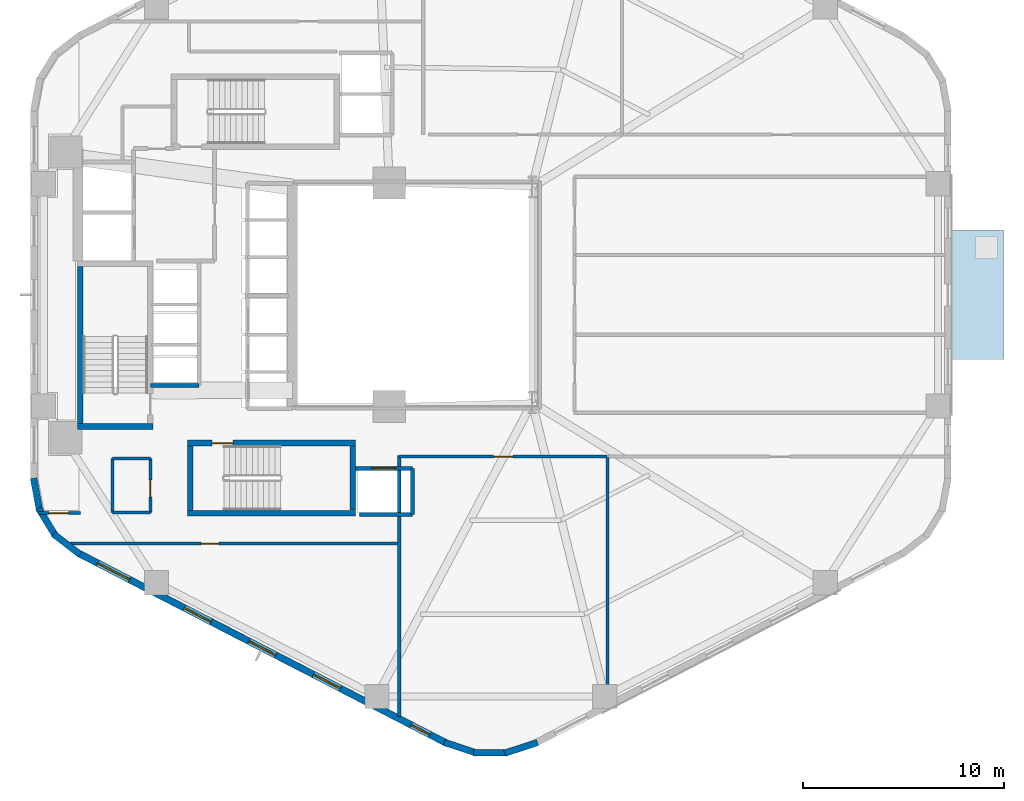
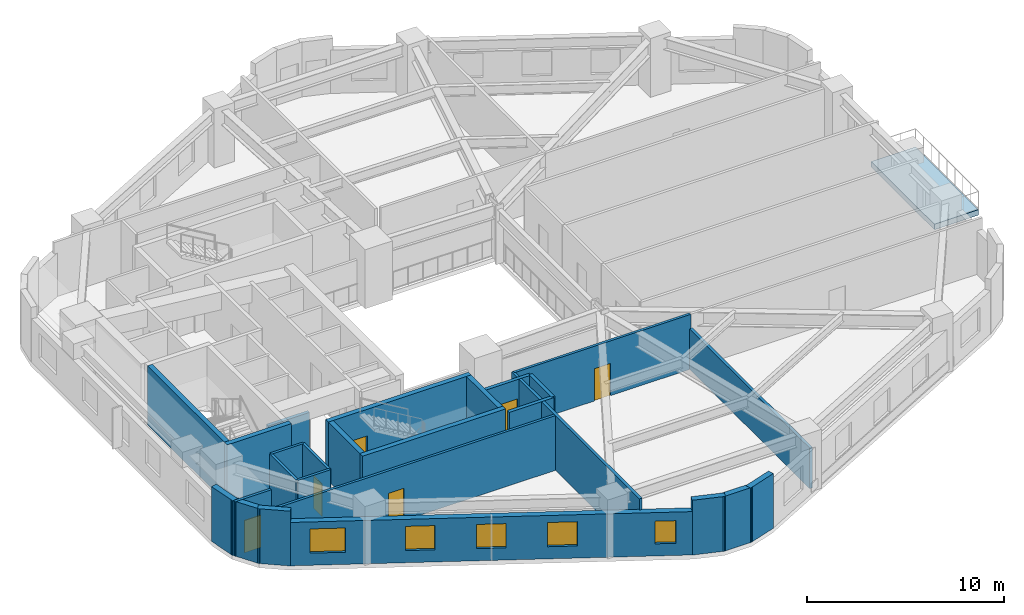
# One storey, part 2 of 7: 26 walls, 6 doors, 5 windows, 1 slab, 11 openings.
"""IFC4 building model written with IfcOpenShell, lengths in metres."""

from ifc_helpers import new_model, si_unit, direction, frame, frame_2d, origin, place, context, subcontext, project, spatial, polyline, rectangle, outline, extrude, material, layer, layer_set, type_object, element, fill, save


model = new_model("IFC4")

# Units and contexts
model_context = context("Model", 3, precision=1e-05, world=origin(), true_north=direction((0.0, 1.0)))
body_context = subcontext(model_context, "Body", "Model", "MODEL_VIEW")
ifc_project = project(units=[si_unit("LENGTHUNIT", "METRE"), si_unit("AREAUNIT", "SQUARE_METRE"), si_unit("VOLUMEUNIT", "CUBIC_METRE"), si_unit("PLANEANGLEUNIT", "RADIAN"), si_unit("MASSUNIT", "GRAM", prefix="KILO"), si_unit("THERMODYNAMICTEMPERATUREUNIT", "KELVIN"), si_unit("POWERUNIT", "WATT")], contexts=[model_context])

# Site, building, storey
site_placement = place(None, origin())
site = spatial("IfcSite", under=ifc_project, at=site_placement, CompositionType="ELEMENT")
building_placement = place(site_placement, origin())
building = spatial("IfcBuilding", under=site, at=building_placement, Name="Skarre Station Tower", CompositionType="ELEMENT")
storey_placement = place(building_placement, frame((0.0, 0.0, 70.800048828125)))
storey = spatial("IfcBuildingStorey", under=building, at=storey_placement, Name="L18", CompositionType="ELEMENT", Elevation=70.800048828125)

# Slab
ifc_material_1 = material(Name="Precast concrete C50/60", Category="concrete")
ifc_layer_1 = layer(ifc_material_1, 0.340087890625, Name="Precast concrete C50/60")
ifc_layer_set_1 = layer_set([ifc_layer_1], Name="Precast concrete C50/60")
slab_type = type_object("IfcSlabType", Name="Planted Tree-Balcony Cantilever Slab 340", PredefinedType="FLOOR", material=ifc_layer_set_1)
slab_placement = place(storey_placement, frame((0.0, 0.0, -0.340087890625)))
element("IfcSlab", 1, at=slab_placement, inside=storey, type_object=slab_type, Name="L18 Planted Tree-Balcony Deck TB-L18-F5", PredefinedType="FLOOR", context=body_context, shape_type="SweptSolid", body=[
    extrude(outline(polyline([(60.27294921875, 20.800048828125), (60.27294921875, 27.199951171875), (62.863037109375, 27.199951171875), (62.863037109375, 20.800048828125), (60.27294921875, 20.800048828125)])), origin(), (0.0, 0.0, 1.0), 0.340087890625),
])

# Walls
ifc_material_2 = material(Name="Acoustic Steel-Stud Gypsum Partition", Category="steel")
ifc_layer_2 = layer(ifc_material_2, 0.14990234375, Name="Acoustic Steel-Stud Gypsum Partition")
ifc_layer_set_2 = layer_set([ifc_layer_2], Name="Acoustic Steel-Stud Gypsum Partition")
wall_type_1 = type_object("IfcWallType", Name="Fire-Rated Corridor Acoustic Partition 150", PredefinedType="PARTITIONING", material=ifc_layer_set_2)
wall_1_placement = place(storey_placement, frame((18.60009765625, 15.8798828125, 0.0), z_axis=(0.0, 0.0, 1.0), x_axis=(0.0, -1.0, 0.0)))
element("IfcWall", 2, at=wall_1_placement, inside=storey, type_object=wall_type_1, Name="L18 Interior Partition WL-PT-L18-CSVC-W", PredefinedType="PARTITIONING", context=body_context, shape_type="SweptSolid", body=[
    extrude(rectangle(XDim=2.679931640625, YDim=0.14990234375, at=frame_2d((1.33984375, 0.0))), origin(), (0.0, 0.0, 1.0), 3.389892578125),
])
for number, where, z_axis, x_axis, name in (
    (3, (18.60009765625, 13.199951171875, 0.0), (0.0, 0.0, 1.0), (1.0, 0.0, 0.0), "L18 Interior Partition WL-PT-L18-CSVC-S"),
    (4, (18.60009765625, 15.8798828125, 0.0), (0.0, 0.0, 1.0), (1.0, 0.0, 0.0), "L18 Interior Partition WL-PT-L18-CSVC-N"),
):
    element("IfcWall", number, at=place(storey_placement, frame(where, z_axis=z_axis, x_axis=x_axis)), inside=storey, type_object=wall_type_1, Name=name, PredefinedType="PARTITIONING", context=body_context, shape_type="SweptSolid", body=[
        extrude(rectangle(XDim=1.889892578125, YDim=0.14990234375, at=frame_2d((0.94482421875, 0.0))), origin(), (0.0, 0.0, 1.0), 3.389892578125),
    ])

# Wall, opening, door
wall_2_placement = place(storey_placement, frame((20.489990234375, 13.199951171875, 0.0), z_axis=(0.0, 0.0, 1.0), x_axis=(0.0, 1.0, 0.0)))
wall_2 = element("IfcWall", 5, at=wall_2_placement, inside=storey, type_object=wall_type_1, Name="L18 Interior Partition WL-PT-L18-CSVC-E", PredefinedType="PARTITIONING", context=body_context, shape_type="SweptSolid", body=[
    extrude(rectangle(XDim=2.679931640625, YDim=0.14990234375, at=frame_2d((1.33984375, 0.0))), origin(), (0.0, 0.0, 1.0), 3.389892578125),
])
opening_1_placement = place(wall_2_placement, frame((0.75, 0.0, 0.0)))
opening_1 = element("IfcOpeningElement", 6, at=opening_1_placement, cuts=wall_2, Name="Opening DR-SVC86", PredefinedType="OPENING", context=body_context, shape_type="SweptSolid", body=[
    extrude(rectangle(XDim=0.860107421875, YDim=2.0, at=frame_2d((0.43017578125, 1.0))), frame((0.0, 0.0849609375, 0.0), z_axis=(0.0, -1.0, 0.0), x_axis=(1.0, 0.0, 0.0)), (0.0, 0.0, 1.0), 0.169921875),
])
ifc_material_3 = material(Name="Powder-Coated Hollow-Metal Acoustic Fire Leaf", Category="steel")
door_type_1 = type_object("IfcDoorType", Name="Compact Riser Fire Door FD60 860x2100", OperationType="SINGLE_SWING_LEFT", PredefinedType="DOOR", material=ifc_material_3)
door_1_placement = place(opening_1_placement, origin())
door_1 = element("IfcDoor", 7, at=door_1_placement, inside=storey, type_object=door_type_1, Name="L18 Supply Room Door", OperationType="SINGLE_SWING_LEFT", OverallHeight=2.0, OverallWidth=0.860107421875, PredefinedType="DOOR", context=body_context, shape_type="SweptSolid", body=[
    extrude(rectangle(XDim=0.860107421875, YDim=2.0, at=frame_2d((0.43017578125, 1.0))), frame((0.0, 0.02490234375, 0.0), z_axis=(0.0, -1.0, 0.0), x_axis=(1.0, 0.0, 0.0)), (0.0, 0.0, 1.0), 0.050048828125),
])
fill(opening_1, door_1)

wall_3_placement = place(storey_placement, frame((16.487060546875, 11.639892578125, 0.0), z_axis=(0.0, 0.0, 1.0), x_axis=(1.0, 0.0, 0.0)))
wall_3 = element("IfcWall", 8, at=wall_3_placement, inside=storey, type_object=wall_type_1, Name="L18 Interior Partition WL-PT-L18-SWP-N", PredefinedType="PARTITIONING", context=body_context, shape_type="SweptSolid", body=[
    extrude(rectangle(XDim=16.363037109375, YDim=0.14990234375, at=frame_2d((8.181640625, 0.0))), origin(), (0.0, 0.0, 1.0), 3.389892578125),
])
opening_2_placement = place(wall_3_placement, frame((6.512939453125, 0.0, 0.0)))
opening_2 = element("IfcOpeningElement", 9, at=opening_2_placement, cuts=wall_3, Name="Opening DR-SVC90", PredefinedType="OPENING", context=body_context, shape_type="SweptSolid", body=[
    extrude(rectangle(XDim=0.89990234375, YDim=2.0, at=frame_2d((0.449951171875, 1.0))), frame((0.0, 0.0849609375, 0.0), z_axis=(0.0, -1.0, 0.0), x_axis=(1.0, 0.0, 0.0)), (0.0, 0.0, 1.0), 0.169921875),
])
door_type_2 = type_object("IfcDoorType", Name="Service & Riser Fire Door FD60 900x2100", OperationType="SINGLE_SWING_LEFT", PredefinedType="DOOR", material=ifc_material_3)
door_2_placement = place(opening_2_placement, origin())
door_2 = element("IfcDoor", 10, at=door_2_placement, inside=storey, type_object=door_type_2, Name="L18 Floor Public Toilets Door", OperationType="SINGLE_SWING_LEFT", OverallHeight=2.0, OverallWidth=0.89990234375, PredefinedType="DOOR", context=body_context, shape_type="SweptSolid", body=[
    extrude(rectangle(XDim=0.89990234375, YDim=2.0, at=frame_2d((0.449951171875, 1.0))), frame((0.0, 0.02490234375, 0.0), z_axis=(0.0, -1.0, 0.0), x_axis=(1.0, 0.0, 0.0)), (0.0, 0.0, 1.0), 0.050048828125),
])
fill(opening_2, door_2)

wall_4_placement = place(storey_placement, frame((17.02001953125, 13.159912109375, 0.0), z_axis=(0.0, 0.0, 1.0), x_axis=(-1.0, 0.0, 0.0)))
wall_4 = element("IfcWall", 11, at=wall_4_placement, inside=storey, type_object=wall_type_1, Name="L18 Interior Partition WL-PT-L18-WW1-CW", PredefinedType="PARTITIONING", context=body_context, shape_type="SweptSolid", body=[
    extrude(rectangle(XDim=2.1201171875, YDim=0.14990234375, at=frame_2d((1.06005859375, 0.0))), origin(), (0.0, 0.0, 1.0), 3.389892578125),
])
opening_3_placement = place(wall_4_placement, frame((0.596923828125, 0.0, 0.0)))
opening_3 = element("IfcOpeningElement", 12, at=opening_3_placement, cuts=wall_4, Name="Opening DR-FD60", PredefinedType="OPENING", context=body_context, shape_type="SweptSolid", body=[
    extrude(rectangle(XDim=0.9599609375, YDim=2.0, at=frame_2d((0.47998046875, 1.0))), frame((0.0, 0.0849609375, 0.0), z_axis=(0.0, -1.0, 0.0), x_axis=(1.0, 0.0, 0.0)), (0.0, 0.0, 1.0), 0.169921875),
])
ifc_material_4 = material(Name="Nordic White-Oak Veneer Solid-Core Fire Leaf", Category="wood")
door_type_3 = type_object("IfcDoorType", Name="Corridor Suite Entry Fire Door FD60 960x2150", OperationType="SINGLE_SWING_LEFT", PredefinedType="DOOR", material=ifc_material_4)
door_3_placement = place(opening_3_placement, origin())
door_3 = element("IfcDoor", 13, at=door_3_placement, inside=storey, type_object=door_type_3, Name="L18 WW1 Entry Door", OperationType="SINGLE_SWING_LEFT", OverallHeight=2.0, OverallWidth=0.9599609375, PredefinedType="DOOR", context=body_context, shape_type="SweptSolid", body=[
    extrude(rectangle(XDim=0.9599609375, YDim=2.0, at=frame_2d((0.47998046875, 1.0))), frame((0.0, 0.02490234375, 0.0), z_axis=(0.0, -1.0, 0.0), x_axis=(1.0, 0.0, 0.0)), (0.0, 0.0, 1.0), 0.050048828125),
])
fill(opening_3, door_3)

wall_5_placement = place(storey_placement, frame((32.85009765625, 15.9599609375, 0.0), z_axis=(0.0, 0.0, 1.0), x_axis=(1.0, 0.0, 0.0)))
wall_5 = element("IfcWall", 14, at=wall_5_placement, inside=storey, type_object=wall_type_1, Name="L18 Interior Partition WL-PT-L18-SW1-CW", PredefinedType="PARTITIONING", context=body_context, shape_type="SweptSolid", body=[
    extrude(rectangle(XDim=10.327880859375, YDim=0.14990234375, at=frame_2d((5.1640625, 0.0))), origin(), (0.0, 0.0, 1.0), 3.389892578125),
])
opening_4_placement = place(wall_5_placement, frame((4.68408203125, 0.0, 0.0)))
opening_4 = element("IfcOpeningElement", 15, at=opening_4_placement, cuts=wall_5, Name="Opening DR-FD60", PredefinedType="OPENING", context=body_context, shape_type="SweptSolid", body=[
    extrude(rectangle(XDim=0.9599609375, YDim=2.0, at=frame_2d((0.47998046875, 1.0))), frame((0.0, 0.0849609375, 0.0), z_axis=(0.0, -1.0, 0.0), x_axis=(1.0, 0.0, 0.0)), (0.0, 0.0, 1.0), 0.169921875),
])
door_4_placement = place(opening_4_placement, origin())
door_4 = element("IfcDoor", 16, at=door_4_placement, inside=storey, type_object=door_type_3, Name="L18 SW1 Entry Door", OperationType="SINGLE_SWING_LEFT", OverallHeight=2.0, OverallWidth=0.9599609375, PredefinedType="DOOR", context=body_context, shape_type="SweptSolid", body=[
    extrude(rectangle(XDim=0.9599609375, YDim=2.0, at=frame_2d((0.47998046875, 1.0))), frame((0.0, 0.02490234375, 0.0), z_axis=(0.0, -1.0, 0.0), x_axis=(1.0, 0.0, 0.0)), (0.0, 0.0, 1.0), 0.050048828125),
])
fill(opening_4, door_4)

# Wall, openings, windows
ifc_material_5 = material(Name="Precast concrete C45/55", Category="concrete")
ifc_layer_3 = layer(ifc_material_5, 0.340087890625, Name="Precast concrete C45/55")
ifc_layer_set_3 = layer_set([ifc_layer_3], Name="Precast concrete C45/55")
wall_type_2 = type_object("IfcWallType", Name="Nordic Honed Precast Facet Wall 340", PredefinedType="STANDARD", material=ifc_layer_set_3)
wall_6_placement = place(storey_placement, frame((35.1689453125, 1.742919921875, 0.0), z_axis=(0.0, 0.0, 1.0), x_axis=(-0.888634413993, 0.458616264721, 0.0)))
wall_6 = element("IfcWall", 17, at=wall_6_placement, inside=storey, type_object=wall_type_2, Name="L18 Facet 3 Nordic Precast Masonry Wall", PredefinedType="STANDARD", context=body_context, shape_type="SweptSolid", body=[
    extrude(rectangle(XDim=20.53125, YDim=0.340087890625, at=frame_2d((10.265625, 0.0))), origin(), (0.0, 0.0, 1.0), 2.683837890625),
])
opening_5_placement = place(wall_6_placement, frame((0.902099609375, 0.0, 0.75)))
opening_5 = element("IfcOpeningElement", 18, at=opening_5_placement, cuts=wall_6, Name="Opening WN-SLT", PredefinedType="OPENING", context=body_context, shape_type="SweptSolid", body=[
    extrude(rectangle(XDim=1.050048828125, YDim=1.39990234375, at=frame_2d((0.52490234375, 0.699951171875))), frame((0.0, 0.179931640625, 0.0), z_axis=(0.0, -1.0, 0.0), x_axis=(1.0, 0.0, 0.0)), (0.0, 0.0, 1.0), 0.360107421875),
])
opening_6_placement = place(wall_6_placement, frame((5.903076171875, 0.0, 0.75)))
opening_6 = element("IfcOpeningElement", 19, at=opening_6_placement, cuts=wall_6, Name="Opening WN-Z1B", PredefinedType="OPENING", context=body_context, shape_type="SweptSolid", body=[
    extrude(rectangle(XDim=1.5, YDim=1.5, at=frame_2d((0.75, 0.75))), frame((0.0, 0.179931640625, 0.0), z_axis=(0.0, -1.0, 0.0), x_axis=(1.0, 0.0, 0.0)), (0.0, 0.0, 1.0), 0.360107421875),
])
opening_7_placement = place(wall_6_placement, frame((9.51611328125, 0.0, 0.75)))
opening_7 = element("IfcOpeningElement", 20, at=opening_7_placement, cuts=wall_6, Name="Opening WN-Z1B", PredefinedType="OPENING", context=body_context, shape_type="SweptSolid", body=[
    extrude(rectangle(XDim=1.5, YDim=1.5, at=frame_2d((0.75, 0.75))), frame((0.0, 0.179931640625, 0.0), z_axis=(0.0, -1.0, 0.0), x_axis=(1.0, 0.0, 0.0)), (0.0, 0.0, 1.0), 0.360107421875),
])
opening_8_placement = place(wall_6_placement, frame((13.12890625, 0.0, 0.75)))
opening_8 = element("IfcOpeningElement", 21, at=opening_8_placement, cuts=wall_6, Name="Opening WN-Z1B", PredefinedType="OPENING", context=body_context, shape_type="SweptSolid", body=[
    extrude(rectangle(XDim=1.5, YDim=1.5, at=frame_2d((0.75, 0.75))), frame((0.0, 0.179931640625, 0.0), z_axis=(0.0, -1.0, 0.0), x_axis=(1.0, 0.0, 0.0)), (0.0, 0.0, 1.0), 0.360107421875),
])
opening_9_placement = place(wall_6_placement, frame((17.673095703125, 0.0, 0.75)))
opening_9 = element("IfcOpeningElement", 22, at=opening_9_placement, cuts=wall_6, Name="Opening WN-Z1A", PredefinedType="OPENING", context=body_context, shape_type="SweptSolid", body=[
    extrude(rectangle(XDim=1.800048828125, YDim=1.5, at=frame_2d((0.89990234375, 0.75))), frame((0.0, 0.179931640625, 0.0), z_axis=(0.0, -1.0, 0.0), x_axis=(1.0, 0.0, 0.0)), (0.0, 0.0, 1.0), 0.360107421875),
])
ifc_material_6 = material(Name="Low-Iron Triple Glazing with Bronze Anodized Frame", Category="glass")
window_type_1 = type_object("IfcWindowType", Name="Nordic Corner Slot Window 1050x1400", PartitioningType="SINGLE_PANEL", PredefinedType="WINDOW", material=ifc_material_6)
window_1_placement = place(opening_5_placement, origin())
window_1 = element("IfcWindow", 23, at=window_1_placement, inside=storey, type_object=window_type_1, Name="L18 Facade Window WL-FAC-L18-F3-1", OverallHeight=1.39990234375, OverallWidth=1.050048828125, PartitioningType="SINGLE_PANEL", PredefinedType="WINDOW", context=body_context, shape_type="SweptSolid", body=[
    extrude(rectangle(XDim=1.050048828125, YDim=1.39990234375, at=frame_2d((0.52490234375, 0.699951171875))), frame((0.0, 0.030029296875, 0.0), z_axis=(0.0, -1.0, 0.0), x_axis=(1.0, 0.0, 0.0)), (0.0, 0.0, 1.0), 0.06005859375),
])
fill(opening_5, window_1)
window_type_2 = type_object("IfcWindowType", Name="Nordic Punched Triple-Glazed Window 1500x1500", PartitioningType="SINGLE_PANEL", PredefinedType="WINDOW", material=ifc_material_6)
window_2_placement = place(opening_6_placement, origin())
window_2 = element("IfcWindow", 24, at=window_2_placement, inside=storey, type_object=window_type_2, Name="L18 Facade Window WL-FAC-L18-F3-2", OverallHeight=1.5, OverallWidth=1.5, PartitioningType="SINGLE_PANEL", PredefinedType="WINDOW", context=body_context, shape_type="SweptSolid", body=[
    extrude(rectangle(XDim=1.5, YDim=1.5, at=frame_2d((0.75, 0.75))), frame((0.0, 0.030029296875, 0.0), z_axis=(0.0, -1.0, 0.0), x_axis=(1.0, 0.0, 0.0)), (0.0, 0.0, 1.0), 0.06005859375),
])
fill(opening_6, window_2)
window_3_placement = place(opening_7_placement, origin())
window_3 = element("IfcWindow", 25, at=window_3_placement, inside=storey, type_object=window_type_2, Name="L18 Facade Window WL-FAC-L18-F3-3", OverallHeight=1.5, OverallWidth=1.5, PartitioningType="SINGLE_PANEL", PredefinedType="WINDOW", context=body_context, shape_type="SweptSolid", body=[
    extrude(rectangle(XDim=1.5, YDim=1.5, at=frame_2d((0.75, 0.75))), frame((0.0, 0.030029296875, 0.0), z_axis=(0.0, -1.0, 0.0), x_axis=(1.0, 0.0, 0.0)), (0.0, 0.0, 1.0), 0.06005859375),
])
fill(opening_7, window_3)
window_4_placement = place(opening_8_placement, origin())
window_4 = element("IfcWindow", 26, at=window_4_placement, inside=storey, type_object=window_type_2, Name="L18 Facade Window WL-FAC-L18-F3-4", OverallHeight=1.5, OverallWidth=1.5, PartitioningType="SINGLE_PANEL", PredefinedType="WINDOW", context=body_context, shape_type="SweptSolid", body=[
    extrude(rectangle(XDim=1.5, YDim=1.5, at=frame_2d((0.75, 0.75))), frame((0.0, 0.030029296875, 0.0), z_axis=(0.0, -1.0, 0.0), x_axis=(1.0, 0.0, 0.0)), (0.0, 0.0, 1.0), 0.06005859375),
])
fill(opening_8, window_4)
window_type_3 = type_object("IfcWindowType", Name="Nordic Punched Triple-Glazed Window 1800x1500", PartitioningType="SINGLE_PANEL", PredefinedType="WINDOW", material=ifc_material_6)
window_5_placement = place(opening_9_placement, origin())
window_5 = element("IfcWindow", 27, at=window_5_placement, inside=storey, type_object=window_type_3, Name="L18 Facade Window WL-FAC-L18-F3-5", OverallHeight=1.5, OverallWidth=1.800048828125, PartitioningType="SINGLE_PANEL", PredefinedType="WINDOW", context=body_context, shape_type="SweptSolid", body=[
    extrude(rectangle(XDim=1.800048828125, YDim=1.5, at=frame_2d((0.89990234375, 0.75))), frame((0.0, 0.030029296875, 0.0), z_axis=(0.0, -1.0, 0.0), x_axis=(1.0, 0.0, 0.0)), (0.0, 0.0, 1.0), 0.06005859375),
])
fill(opening_9, window_5)

# Walls
ifc_layer_4 = layer(ifc_material_5, 0.330078125, Name="Precast concrete C45/55")
ifc_layer_set_4 = layer_set([ifc_layer_4], Name="Precast concrete C45/55")
wall_type_3 = type_object("IfcWallType", Name="Nordic Rounded Corner Precast Wall 330", PredefinedType="STANDARD", material=ifc_layer_set_4)
wall_7_placement = place(storey_placement, frame((16.998046875, 11.09912109375, 0.0), z_axis=(0.0, 0.0, 1.0), x_axis=(-0.790691856293, 0.61221433207, 0.0)))
element("IfcWall", 28, at=wall_7_placement, inside=storey, type_object=wall_type_3, Name="L18 Rounded Corner Precast Wall F3-1", PredefinedType="STANDARD", context=body_context, shape_type="SweptSolid", body=[
    extrude(rectangle(XDim=1.67578125, YDim=0.330078125, at=frame_2d((0.837890625, 0.0))), origin(), (0.0, 0.0, 1.0), 3.389892578125),
])
wall_8_placement = place(storey_placement, frame((15.798095703125, 11.985107421875, 0.0), z_axis=(0.0, 0.0, 1.0), x_axis=(-0.520584129191, 0.853810379671, 0.0)))
element("IfcWall", 29, at=wall_8_placement, inside=storey, type_object=wall_type_3, Name="L18 Rounded Corner Precast Wall F3-2", PredefinedType="STANDARD", context=body_context, shape_type="SweptSolid", body=[
    extrude(rectangle(XDim=1.677001953125, YDim=0.330078125, at=frame_2d((0.83837890625, 0.0))), origin(), (0.0, 0.0, 1.0), 3.389892578125),
])
wall_9_placement = place(storey_placement, frame((14.991943359375, 13.241943359375, 0.0), z_axis=(0.0, 0.0, 1.0), x_axis=(-0.181714143354, 0.983351397063, 0.0)))
element("IfcWall", 30, at=wall_9_placement, inside=storey, type_object=wall_type_3, Name="L18 Rounded Corner Precast Wall F3-3", PredefinedType="STANDARD", context=body_context, shape_type="SweptSolid", body=[
    extrude(rectangle(XDim=1.677978515625, YDim=0.330078125, at=frame_2d((0.8388671875, 0.0))), origin(), (0.0, 0.0, 1.0), 3.389892578125),
])
wall_10_placement = place(storey_placement, frame((39.718994140625, 1.76904296875, 0.0), z_axis=(0.0, 0.0, 1.0), x_axis=(-0.94976901097, -0.312951794691, 0.0)))
element("IfcWall", 31, at=wall_10_placement, inside=storey, type_object=wall_type_3, Name="L18 Rounded Corner Precast Wall F4-1", PredefinedType="STANDARD", context=body_context, shape_type="SweptSolid", body=[
    extrude(rectangle(XDim=1.722412109375, YDim=0.330078125, at=frame_2d((0.861328125, 0.0))), origin(), (0.0, 0.0, 1.0), 3.389892578125),
])
wall_11_placement = place(storey_placement, frame((38.260986328125, 1.259033203125, 0.0), z_axis=(0.0, 0.0, 1.0), x_axis=(-1.0, 0.0, 0.0)))
element("IfcWall", 32, at=wall_11_placement, inside=storey, type_object=wall_type_3, Name="L18 Rounded Corner Precast Wall F4-2", PredefinedType="STANDARD", context=body_context, shape_type="SweptSolid", body=[
    extrude(rectangle(XDim=1.721923828125, YDim=0.330078125, at=frame_2d((0.86083984375, 0.0))), origin(), (0.0, 0.0, 1.0), 3.389892578125),
])
wall_12_placement = place(storey_placement, frame((36.717041015625, 1.22998046875, 0.0), z_axis=(0.0, 0.0, 1.0), x_axis=(-0.94976901097, 0.312951794691, 0.0)))
element("IfcWall", 33, at=wall_12_placement, inside=storey, type_object=wall_type_3, Name="L18 Rounded Corner Precast Wall F4-3", PredefinedType="STANDARD", context=body_context, shape_type="SweptSolid", body=[
    extrude(rectangle(XDim=1.722412109375, YDim=0.330078125, at=frame_2d((0.861328125, 0.0))), origin(), (0.0, 0.0, 1.0), 3.389892578125),
])
ifc_material_7 = material(Name="Concrete C50/60", Category="concrete")
ifc_layer_5 = layer(ifc_material_7, 0.280029296875, Name="Concrete C50/60")
ifc_layer_set_5 = layer_set([ifc_layer_5], Name="Concrete C50/60")
wall_type_4 = type_object("IfcWallType", Name="RC Core Shear Wall 280", PredefinedType="SHEAR", material=ifc_layer_set_5)
wall_13_placement = place(storey_placement, frame((16.8701171875, 17.4599609375, 0.0), z_axis=(0.0, 0.0, 1.0), x_axis=(1.0, 0.0, 0.0)))
element("IfcWall", 34, at=wall_13_placement, inside=storey, type_object=wall_type_4, Name="L18 Stair ST-1 South Shear Wall", PredefinedType="SHEAR", context=body_context, shape_type="SweptSolid", body=[
    extrude(rectangle(XDim=3.759765625, YDim=0.280029296875, at=frame_2d((1.8798828125, 0.0))), origin(), (0.0, 0.0, 1.0), 3.64990234375),
])
wall_14_placement = place(storey_placement, frame((17.010009765625, 25.39990234375, 0.0), z_axis=(0.0, 0.0, 1.0), x_axis=(0.0, -1.0, 0.0)))
element("IfcWall", 35, at=wall_14_placement, inside=storey, type_object=wall_type_4, Name="L18 Stair ST-1 West Shear Wall", PredefinedType="SHEAR", context=body_context, shape_type="SweptSolid", body=[
    extrude(rectangle(XDim=7.7998046875, YDim=0.280029296875, at=frame_2d((3.89990234375, 0.0))), origin(), (0.0, 0.0, 1.0), 3.64990234375),
])
wall_15_placement = place(storey_placement, frame((22.320068359375, 13.159912109375, 0.0), z_axis=(0.0, 0.0, 1.0), x_axis=(1.0, 0.0, 0.0)))
element("IfcWall", 36, at=wall_15_placement, inside=storey, type_object=wall_type_4, Name="L18 Stair ST-2 South Shear Wall", PredefinedType="SHEAR", context=body_context, shape_type="SweptSolid", body=[
    extrude(rectangle(XDim=8.35986328125, YDim=0.280029296875, at=frame_2d((4.179931640625, 0.0))), origin(), (0.0, 0.0, 1.0), 3.64990234375),
])

# Wall, opening, door
wall_16_placement = place(storey_placement, frame((30.679931640625, 16.639892578125, 0.0), z_axis=(0.0, 0.0, 1.0), x_axis=(-1.0, 0.0, 0.0)))
wall_16 = element("IfcWall", 37, at=wall_16_placement, inside=storey, type_object=wall_type_4, Name="L18 Stair ST-2 North Shear Wall", PredefinedType="SHEAR", context=body_context, shape_type="SweptSolid", body=[
    extrude(rectangle(XDim=8.35986328125, YDim=0.280029296875, at=frame_2d((4.179931640625, 0.0))), origin(), (0.0, 0.0, 1.0), 3.64990234375),
])
opening_10_placement = place(wall_16_placement, frame((6.080078125, 0.0, 0.0)))
opening_10 = element("IfcOpeningElement", 38, at=opening_10_placement, cuts=wall_16, Name="Opening DR-FD90", PredefinedType="OPENING", context=body_context, shape_type="SweptSolid", body=[
    extrude(rectangle(XDim=1.050048828125, YDim=2.0, at=frame_2d((0.52490234375, 1.0))), frame((0.0, 0.14990234375, 0.0), z_axis=(0.0, -1.0, 0.0), x_axis=(1.0, 0.0, 0.0)), (0.0, 0.0, 1.0), 0.300048828125),
])
ifc_material_8 = material(Name="Fire-Rated Insulated Steel Frame & Timber Core Leaf", Category="steel")
door_type_4 = type_object("IfcDoorType", Name="Stair & FSAE Lobby Fire Door FD90 1050x2150", OperationType="SINGLE_SWING_RIGHT", PredefinedType="DOOR", material=ifc_material_8)
door_5_placement = place(opening_10_placement, origin())
door_5 = element("IfcDoor", 39, at=door_5_placement, inside=storey, type_object=door_type_4, Name="L18 Stair ST-2 Exit Door", OperationType="SINGLE_SWING_RIGHT", OverallHeight=2.0, OverallWidth=1.050048828125, PredefinedType="DOOR", context=body_context, shape_type="SweptSolid", body=[
    extrude(rectangle(XDim=1.050048828125, YDim=2.0, at=frame_2d((0.52490234375, 1.0))), frame((0.0, 0.02490234375, 0.0), z_axis=(0.0, -1.0, 0.0), x_axis=(1.0, 0.0, 0.0)), (0.0, 0.0, 1.0), 0.050048828125),
])
fill(opening_10, door_5)

# Walls
for number, where, z_axis, x_axis, name in (
    (40, (22.4599609375, 16.5, 0.0), (0.0, 0.0, 1.0), (0.0, -1.0, 0.0), "L18 Stair ST-2 West Shear Wall"),
    (41, (30.5400390625, 13.300048828125, 0.0), (0.0, 0.0, 1.0), (0.0, 1.0, 0.0), "L18 Stair ST-2 East Shear Wall"),
):
    element("IfcWall", number, at=place(storey_placement, frame(where, z_axis=z_axis, x_axis=x_axis)), inside=storey, type_object=wall_type_4, Name=name, PredefinedType="SHEAR", context=body_context, shape_type="SweptSolid", body=[
        extrude(rectangle(XDim=3.199951171875, YDim=0.280029296875, at=frame_2d((1.60009765625, 0.0))), origin(), (0.0, 0.0, 1.0), 3.64990234375),
    ])

# Wall, opening, door
ifc_material_9 = material(Name="Gypsum Concrete Shaft Assembly C30/37", Category="concrete")
ifc_layer_6 = layer(ifc_material_9, 0.199951171875, Name="Gypsum Concrete Shaft Assembly C30/37")
ifc_layer_set_6 = layer_set([ifc_layer_6], Name="Gypsum Concrete Shaft Assembly C30/37")
wall_type_5 = type_object("IfcWallType", Name="Shaft & Core Fire Partition 200", PredefinedType="PARTITIONING", material=ifc_layer_set_6)
wall_17_placement = place(storey_placement, frame((33.5, 15.3798828125, 0.0), z_axis=(0.0, 0.0, 1.0), x_axis=(-1.0, 0.0, 0.0)))
wall_17 = element("IfcWall", 42, at=wall_17_placement, inside=storey, type_object=wall_type_5, Name="L18 Interior Partition WL-PT-L18-SV1-N", PredefinedType="PARTITIONING", context=body_context, shape_type="SweptSolid", body=[
    extrude(rectangle(XDim=2.820068359375, YDim=0.199951171875, at=frame_2d((1.41015625, 0.0))), origin(), (0.0, 0.0, 1.0), 3.389892578125),
])
opening_11_placement = place(wall_17_placement, frame((0.800048828125, 0.0, 0.0)))
opening_11 = element("IfcOpeningElement", 43, at=opening_11_placement, cuts=wall_17, Name="Opening LD-SV1", PredefinedType="OPENING", context=body_context, shape_type="SweptSolid", body=[
    extrude(rectangle(XDim=1.199951171875, YDim=2.199951171875, at=frame_2d((0.60009765625, 1.10009765625))), frame((0.0, 0.10986328125, 0.0), z_axis=(0.0, -1.0, 0.0), x_axis=(1.0, 0.0, 0.0)), (0.0, 0.0, 1.0), 0.219970703125),
])
ifc_material_10 = material(Name="Heavy-Gauge Brushed Stainless Steel Sliding Leaves", Category="steel")
door_type_5 = type_object("IfcDoorType", Name="Service Elevator Wide Sliding Landing Door 1200x2200", OperationType="SLIDING_TO_RIGHT", PredefinedType="DOOR", material=ifc_material_10)
door_6_placement = place(opening_11_placement, origin())
door_6 = element("IfcDoor", 44, at=door_6_placement, inside=storey, type_object=door_type_5, Name="L18 Service Lift LF-SV1 Landing Door", OperationType="SLIDING_TO_RIGHT", OverallHeight=2.199951171875, OverallWidth=1.199951171875, PredefinedType="DOOR", context=body_context, shape_type="SweptSolid", body=[
    extrude(rectangle(XDim=1.199951171875, YDim=2.199951171875, at=frame_2d((0.60009765625, 1.10009765625))), frame((0.0, 0.02490234375, 0.0), z_axis=(0.0, -1.0, 0.0), x_axis=(1.0, 0.0, 0.0)), (0.0, 0.0, 1.0), 0.050048828125),
])
fill(opening_11, door_6)

# Walls
wall_18_placement = place(storey_placement, frame((33.5, 13.080078125, 0.0), z_axis=(0.0, 0.0, 1.0), x_axis=(0.0, 1.0, 0.0)))
element("IfcWall", 45, at=wall_18_placement, inside=storey, type_object=wall_type_5, Name="L18 Interior Partition WL-PT-L18-SV1-E", PredefinedType="PARTITIONING", context=body_context, shape_type="SweptSolid", body=[
    extrude(rectangle(XDim=2.2998046875, YDim=0.199951171875, at=frame_2d((1.14990234375, 0.0))), origin(), (0.0, 0.0, 1.0), 3.389892578125),
])
wall_19_placement = place(storey_placement, frame((30.87890625, 13.080078125, 0.0), z_axis=(0.0, 0.0, 1.0), x_axis=(1.0, 0.0, 0.0)))
element("IfcWall", 46, at=wall_19_placement, inside=storey, type_object=wall_type_5, Name="L18 Interior Partition WL-PT-L18-SV1-S", PredefinedType="PARTITIONING", context=body_context, shape_type="SweptSolid", body=[
    extrude(rectangle(XDim=2.62109375, YDim=0.199951171875, at=frame_2d((1.310546875, 0.0))), origin(), (0.0, 0.0, 1.0), 3.389892578125),
])
wall_20_placement = place(storey_placement, frame((20.489990234375, 19.5, 0.0), z_axis=(0.0, 0.0, 1.0), x_axis=(1.0, 0.0, 0.0)))
element("IfcWall", 47, at=wall_20_placement, inside=storey, type_object=wall_type_5, Name="L18 Interior Partition WL-PT-L18-B3-S", PredefinedType="PARTITIONING", context=body_context, shape_type="SweptSolid", body=[
    extrude(rectangle(XDim=2.409912109375, YDim=0.199951171875, at=frame_2d((1.205078125, 0.0))), origin(), (0.0, 0.0, 1.0), 2.2900390625),
])
ifc_layer_7 = layer(ifc_material_2, 0.1650390625, Name="Acoustic Steel-Stud Gypsum Partition")
ifc_layer_set_7 = layer_set([ifc_layer_7], Name="Acoustic Steel-Stud Gypsum Partition")
wall_type_6 = type_object("IfcWallType", Name="Suite Demising Acoustic Partition 165", PredefinedType="PARTITIONING", material=ifc_layer_set_7)
wall_21_placement = place(storey_placement, frame((32.85009765625, 3.06396484375, 0.0), z_axis=(0.0, 0.0, 1.0), x_axis=(0.0, 1.0, 0.0)))
element("IfcWall", 48, at=wall_21_placement, inside=storey, type_object=wall_type_6, Name="L18 Interior Partition WL-PT-L18-SWP-E", PredefinedType="PARTITIONING", context=body_context, shape_type="SweptSolid", body=[
    extrude(rectangle(XDim=12.966064453125, YDim=0.1650390625, at=frame_2d((6.48291015625, 0.0))), origin(), (0.0, 0.0, 1.0), 3.389892578125),
])
wall_22_placement = place(storey_placement, frame((43.196044921875, 3.718017578125, 0.0), z_axis=(0.0, 0.0, 1.0), x_axis=(0.0, 1.0, 0.0)))
element("IfcWall", 49, at=wall_22_placement, inside=storey, type_object=wall_type_6, Name="L18 Interior Partition WL-PT-L18-SW-P1", PredefinedType="PARTITIONING", context=body_context, shape_type="SweptSolid", body=[
    extrude(rectangle(XDim=12.2119140625, YDim=0.1650390625, at=frame_2d((6.10595703125, 0.0))), origin(), (0.0, 0.0, 1.0), 2.512939453125),
])

save(model, "model.ifc")
